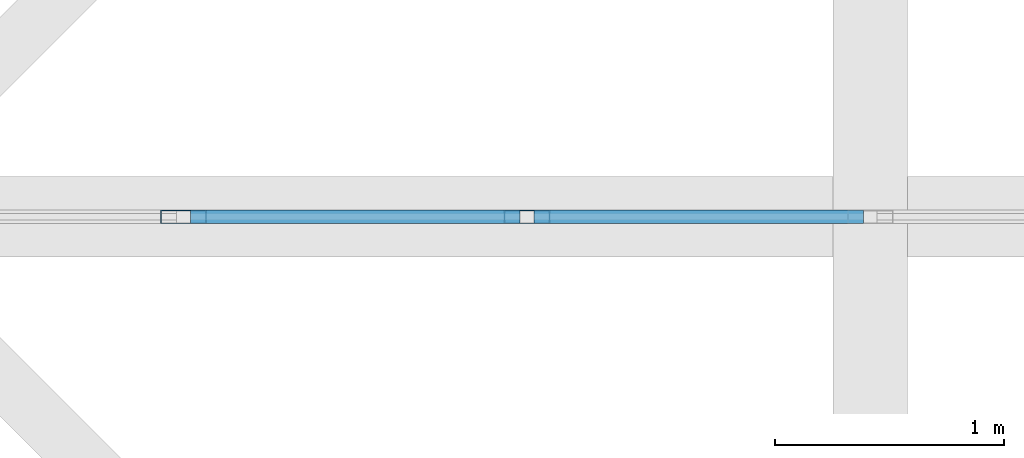
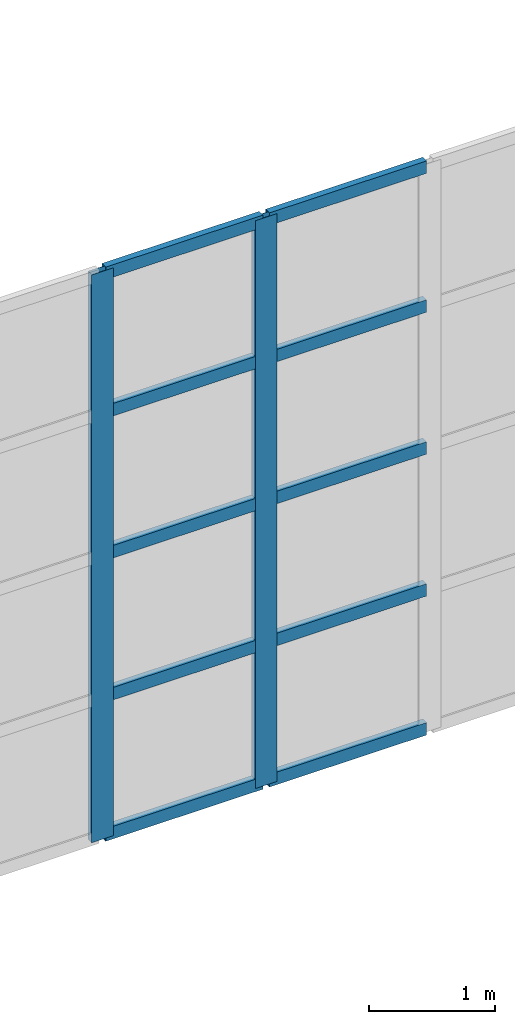
# One storey, part 180 of 437: 12 members, 1 element without a shape of its own.
"""IFC4 building model written with IfcOpenShell, lengths in metres."""

from ifc_helpers import new_model, si_unit, direction, frame, origin, origin_2d, place, context, subcontext, project, spatial, hollow_rectangle, extrude, material, layer, layer_set, material_profile, profile_set, type_object, element, aggregate, save


model = new_model("IFC4")

# Units and contexts
model_context = context("Model", 3, precision=1e-05, world=origin(), true_north=direction((0.0, 1.0)))
body_context = subcontext(model_context, "Body", "Model", "MODEL_VIEW")
ifc_project = project(units=[si_unit("LENGTHUNIT", "METRE"), si_unit("AREAUNIT", "SQUARE_METRE"), si_unit("VOLUMEUNIT", "CUBIC_METRE"), si_unit("PLANEANGLEUNIT", "RADIAN"), si_unit("MASSUNIT", "GRAM", prefix="KILO")], contexts=[model_context])

# Site, building, storey
site_placement = place(None, origin())
site = spatial("IfcSite", under=ifc_project, at=site_placement, CompositionType="ELEMENT")
building_placement = place(site_placement, origin())
building = spatial("IfcBuilding", under=site, at=building_placement, Name="Opaline Strait Convention Centre", CompositionType="ELEMENT")
storey_placement = place(building_placement, frame((0.0, 0.0, 11.5)))
storey = spatial("IfcBuildingStorey", under=building, at=storey_placement, Name="L02", CompositionType="ELEMENT", Elevation=11.5)

# Curtain wall, members
ifc_material_1 = material(Name="Aluminium framed glazing", Category="aluminium")
ifc_layer = layer(ifc_material_1, 0.199951171875)
ifc_layer_set = layer_set([ifc_layer], Name="Aluminium framed glazing")
curtain_wall_type = type_object("IfcCurtainWallType", Name="Entrance curtain wall 1500", PredefinedType="NOTDEFINED", material=ifc_layer_set)
curtain_wall_placement = place(storey_placement, origin())
curtain_wall = element("IfcCurtainWall", 1, at=curtain_wall_placement, inside=storey, type_object=curtain_wall_type, Name="Entrance curtain wall L02-R3", PredefinedType="NOTDEFINED")
ifc_material_2 = material(Name="Aluminium alloy 6063", Category="aluminium")
ifc_material_profile_1 = material_profile(ifc_material_2, hollow_rectangle(XDim=0.06005859375, YDim=0.199951171875, WallThickness=0.00390625, at=origin_2d()), Name="MULLION 60x200x4")
ifc_profile_set_1 = profile_set([ifc_material_profile_1], Name="Aluminium alloy 6063")
member_type_1 = type_object("IfcMemberType", Name="Curtain wall mullion 60 x 200", PredefinedType="MULLION", material=ifc_profile_set_1)
member_1_placement = place(storey_placement, frame((190.5, 144.0, 0.0), z_axis=(0.0, 0.0, 1.0), x_axis=(0.0, 1.0, 0.0)))
member_1 = element("IfcMember", 2, at=member_1_placement, type_object=member_type_1, Name="XCW mullion 2", PredefinedType="MULLION", context=body_context, shape_type="SweptSolid", body=[
    extrude(hollow_rectangle(XDim=0.06005859375, YDim=0.199951171875, WallThickness=0.00390625, at=origin_2d()), origin(), (0.0, 0.0, 1.0), 5.5),
])
member_2_placement = place(storey_placement, frame((192.0, 144.0, 0.0), z_axis=(0.0, 0.0, 1.0), x_axis=(0.0, 1.0, 0.0)))
member_2 = element("IfcMember", 3, at=member_2_placement, type_object=member_type_1, Name="XCW mullion 3", PredefinedType="MULLION", context=body_context, shape_type="SweptSolid", body=[
    extrude(hollow_rectangle(XDim=0.06005859375, YDim=0.199951171875, WallThickness=0.00390625, at=origin_2d()), origin(), (0.0, 0.0, 1.0), 5.5),
])
ifc_material_profile_2 = material_profile(ifc_material_2, hollow_rectangle(XDim=0.06005859375, YDim=0.1201171875, WallThickness=0.0029296875, at=origin_2d()), Name="TRANSOM 60x120x3")
ifc_profile_set_2 = profile_set([ifc_material_profile_2], Name="Aluminium alloy 6063")
member_type_2 = type_object("IfcMemberType", Name="Curtain wall transom 60 x 120", PredefinedType="USERDEFINED", material=ifc_profile_set_2)
member_3_placement = place(storey_placement, frame((190.530029296875, 144.0, 0.030029296875), z_axis=(1.0, 0.0, 0.0), x_axis=(0.0, 1.0, 0.0)))
member_3 = element("IfcMember", 4, at=member_3_placement, type_object=member_type_2, Name="XCW transom 2.1", ObjectType="TRANSOM", PredefinedType="USERDEFINED", context=body_context, shape_type="SweptSolid", body=[
    extrude(hollow_rectangle(XDim=0.06005859375, YDim=0.1201171875, WallThickness=0.0029296875, at=origin_2d()), origin(), (0.0, 0.0, 1.0), 1.43994140625),
])
member_4_placement = place(storey_placement, frame((190.530029296875, 144.0, 1.375), z_axis=(1.0, 0.0, 0.0), x_axis=(0.0, 1.0, 0.0)))
member_4 = element("IfcMember", 5, at=member_4_placement, type_object=member_type_2, Name="XCW transom 2.2", ObjectType="TRANSOM", PredefinedType="USERDEFINED", context=body_context, shape_type="SweptSolid", body=[
    extrude(hollow_rectangle(XDim=0.06005859375, YDim=0.1201171875, WallThickness=0.0029296875, at=origin_2d()), origin(), (0.0, 0.0, 1.0), 1.43994140625),
])
member_5_placement = place(storey_placement, frame((190.530029296875, 144.0, 2.75), z_axis=(1.0, 0.0, 0.0), x_axis=(0.0, 1.0, 0.0)))
member_5 = element("IfcMember", 6, at=member_5_placement, type_object=member_type_2, Name="XCW transom 2.3", ObjectType="TRANSOM", PredefinedType="USERDEFINED", context=body_context, shape_type="SweptSolid", body=[
    extrude(hollow_rectangle(XDim=0.06005859375, YDim=0.1201171875, WallThickness=0.0029296875, at=origin_2d()), origin(), (0.0, 0.0, 1.0), 1.43994140625),
])
member_6_placement = place(storey_placement, frame((190.530029296875, 144.0, 4.125), z_axis=(1.0, 0.0, 0.0), x_axis=(0.0, 1.0, 0.0)))
member_6 = element("IfcMember", 7, at=member_6_placement, type_object=member_type_2, Name="XCW transom 2.4", ObjectType="TRANSOM", PredefinedType="USERDEFINED", context=body_context, shape_type="SweptSolid", body=[
    extrude(hollow_rectangle(XDim=0.06005859375, YDim=0.1201171875, WallThickness=0.0029296875, at=origin_2d()), origin(), (0.0, 0.0, 1.0), 1.43994140625),
])
member_7_placement = place(storey_placement, frame((190.530029296875, 144.0, 5.469970703125), z_axis=(1.0, 0.0, 0.0), x_axis=(0.0, 1.0, 0.0)))
member_7 = element("IfcMember", 8, at=member_7_placement, type_object=member_type_2, Name="XCW transom 2.5", ObjectType="TRANSOM", PredefinedType="USERDEFINED", context=body_context, shape_type="SweptSolid", body=[
    extrude(hollow_rectangle(XDim=0.06005859375, YDim=0.1201171875, WallThickness=0.0029296875, at=origin_2d()), origin(), (0.0, 0.0, 1.0), 1.43994140625),
])
member_8_placement = place(storey_placement, frame((192.030029296875, 144.0, 0.030029296875), z_axis=(1.0, 0.0, 0.0), x_axis=(0.0, 1.0, 0.0)))
member_8 = element("IfcMember", 9, at=member_8_placement, type_object=member_type_2, Name="XCW transom 3.1", ObjectType="TRANSOM", PredefinedType="USERDEFINED", context=body_context, shape_type="SweptSolid", body=[
    extrude(hollow_rectangle(XDim=0.06005859375, YDim=0.1201171875, WallThickness=0.0029296875, at=origin_2d()), origin(), (0.0, 0.0, 1.0), 1.43994140625),
])
member_9_placement = place(storey_placement, frame((192.030029296875, 144.0, 1.375), z_axis=(1.0, 0.0, 0.0), x_axis=(0.0, 1.0, 0.0)))
member_9 = element("IfcMember", 10, at=member_9_placement, type_object=member_type_2, Name="XCW transom 3.2", ObjectType="TRANSOM", PredefinedType="USERDEFINED", context=body_context, shape_type="SweptSolid", body=[
    extrude(hollow_rectangle(XDim=0.06005859375, YDim=0.1201171875, WallThickness=0.0029296875, at=origin_2d()), origin(), (0.0, 0.0, 1.0), 1.43994140625),
])
member_10_placement = place(storey_placement, frame((192.030029296875, 144.0, 2.75), z_axis=(1.0, 0.0, 0.0), x_axis=(0.0, 1.0, 0.0)))
member_10 = element("IfcMember", 11, at=member_10_placement, type_object=member_type_2, Name="XCW transom 3.3", ObjectType="TRANSOM", PredefinedType="USERDEFINED", context=body_context, shape_type="SweptSolid", body=[
    extrude(hollow_rectangle(XDim=0.06005859375, YDim=0.1201171875, WallThickness=0.0029296875, at=origin_2d()), origin(), (0.0, 0.0, 1.0), 1.43994140625),
])
member_11_placement = place(storey_placement, frame((192.030029296875, 144.0, 4.125), z_axis=(1.0, 0.0, 0.0), x_axis=(0.0, 1.0, 0.0)))
member_11 = element("IfcMember", 12, at=member_11_placement, type_object=member_type_2, Name="XCW transom 3.4", ObjectType="TRANSOM", PredefinedType="USERDEFINED", context=body_context, shape_type="SweptSolid", body=[
    extrude(hollow_rectangle(XDim=0.06005859375, YDim=0.1201171875, WallThickness=0.0029296875, at=origin_2d()), origin(), (0.0, 0.0, 1.0), 1.43994140625),
])
member_12_placement = place(storey_placement, frame((192.030029296875, 144.0, 5.469970703125), z_axis=(1.0, 0.0, 0.0), x_axis=(0.0, 1.0, 0.0)))
member_12 = element("IfcMember", 13, at=member_12_placement, type_object=member_type_2, Name="XCW transom 3.5", ObjectType="TRANSOM", PredefinedType="USERDEFINED", context=body_context, shape_type="SweptSolid", body=[
    extrude(hollow_rectangle(XDim=0.06005859375, YDim=0.1201171875, WallThickness=0.0029296875, at=origin_2d()), origin(), (0.0, 0.0, 1.0), 1.43994140625),
])
aggregate(curtain_wall, [member_1, member_2, member_3, member_4, member_5, member_6, member_7, member_8, member_9, member_10, member_11, member_12])

save(model, "model.ifc")
